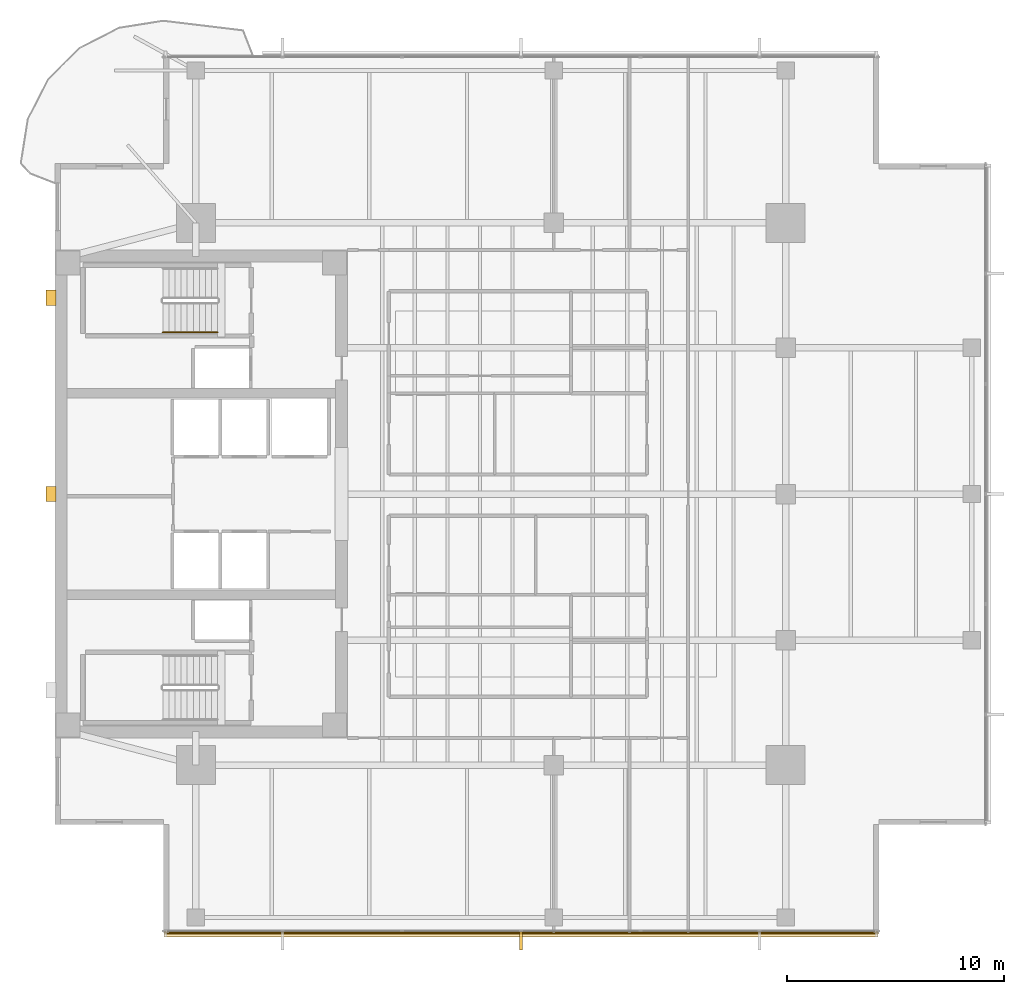
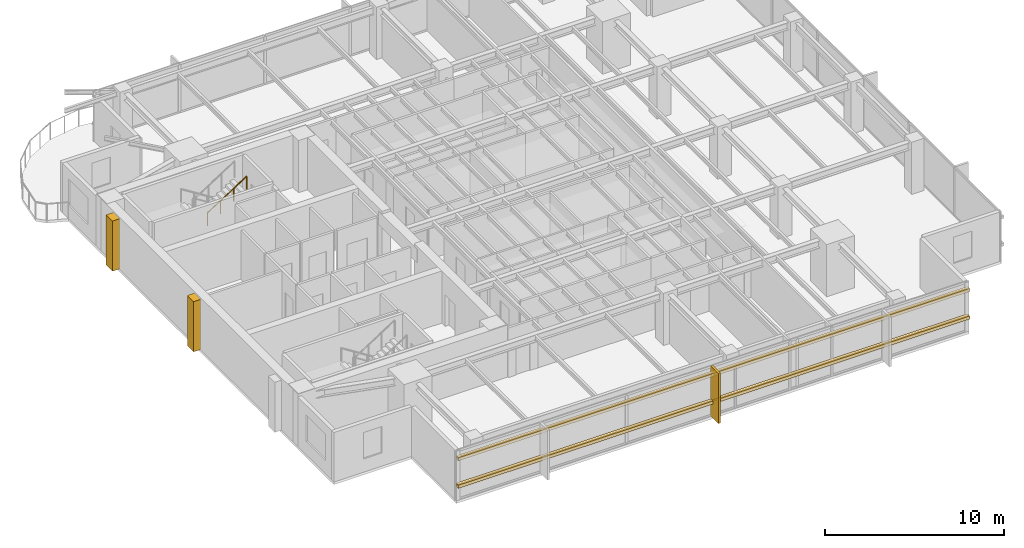
# One storey, part 12 of 14: 5 coverings, 2 shading devices, 1 railing.
"""IFC4 building model written with IfcOpenShell, lengths in metres."""

from ifc_helpers import new_model, si_unit, direction, frame, origin, origin_2d, place, context, subcontext, project, spatial, polyline, rectangle, circle, outline, extrude, material, layer, layer_set, material_profile, profile_set, type_object, element, save


model = new_model("IFC4")

# Units and contexts
model_context = context("Model", 3, precision=1e-05, world=origin(), true_north=direction((0.0, 1.0)))
body_context = subcontext(model_context, "Body", "Model", "MODEL_VIEW")
ifc_project = project(units=[si_unit("LENGTHUNIT", "METRE"), si_unit("AREAUNIT", "SQUARE_METRE"), si_unit("VOLUMEUNIT", "CUBIC_METRE"), si_unit("PLANEANGLEUNIT", "RADIAN"), si_unit("MASSUNIT", "GRAM", prefix="KILO")], contexts=[model_context])

# Site, building, storey
site_placement = place(None, origin())
site = spatial("IfcSite", under=ifc_project, at=site_placement, CompositionType="ELEMENT")
building_placement = place(site_placement, origin())
building = spatial("IfcBuilding", under=site, at=building_placement, Name="Kinhvarn Gate Tower", CompositionType="ELEMENT")
storey_placement = place(building_placement, frame((0.0, 0.0, 216.449951171875)))
storey = spatial("IfcBuildingStorey", under=building, at=storey_placement, Name="L57", CompositionType="ELEMENT", Elevation=216.449951171875)

# Coverings
ifc_material_1 = material(Name="Fired architectural terracotta", Category="masonry")
ifc_layer_1 = layer(ifc_material_1, 0.239990234375)
ifc_layer_set_1 = layer_set([ifc_layer_1], Name="Fired architectural terracotta")
covering_type_1 = type_object("IfcCoveringType", Name="COV-BAG-220", PredefinedType="CLADDING", material=ifc_layer_set_1)
covering_1_placement = place(storey_placement, frame((0.0, 0.0, 0.93994140625)))
element("IfcCovering", 1, at=covering_1_placement, inside=storey, type_object=covering_type_1, Name="Terracotta Horizontal Sunscreen Band TBG-220 (L57)", PredefinedType="CLADDING", context=body_context, shape_type="SweptSolid", body=[
    extrude(outline(polyline([(9.5400390625, 5.070068359375), (42.4599609375, 5.070068359375), (42.4599609375, 4.830078125), (9.5400390625, 4.830078125), (9.5400390625, 5.070068359375)])), origin(), (0.0, 0.0, 1.0), 0.22021484375),
])
covering_2_placement = place(storey_placement, frame((0.0, 0.0, 2.81005859375)))
element("IfcCovering", 2, at=covering_2_placement, inside=storey, type_object=covering_type_1, Name="Terracotta Horizontal Sunscreen Band TBG-220 (L57)", PredefinedType="CLADDING", context=body_context, shape_type="SweptSolid", body=[
    extrude(outline(polyline([(9.5400390625, 5.070068359375), (42.4599609375, 5.070068359375), (42.4599609375, 4.830078125), (9.5400390625, 4.830078125), (9.5400390625, 5.070068359375)])), origin(), (0.0, 0.0, 1.0), 0.219970703125),
])
ifc_layer_2 = layer(ifc_material_1, 0.139892578125)
ifc_layer_set_2 = layer_set([ifc_layer_2], Name="Fired architectural terracotta")
covering_type_2 = type_object("IfcCoveringType", Name="COV-FIN-850", PredefinedType="CLADDING", material=ifc_layer_set_2)
covering_3_placement = place(storey_placement, frame((0.0, 0.0, -0.02001953125)))
element("IfcCovering", 3, at=covering_3_placement, inside=storey, type_object=covering_type_2, Name="Vertical Terracotta Expressive Fin TFN-850 (L57)", PredefinedType="CLADDING", context=body_context, shape_type="SweptSolid", body=[
    extrude(outline(polyline([(25.929931640625, 5.080078125), (26.070068359375, 5.080078125), (26.070068359375, 4.22998046875), (25.929931640625, 4.22998046875), (25.929931640625, 5.080078125)])), origin(), (0.0, 0.0, 1.0), 3.41015625),
])
ifc_material_2 = material(Name="Precast white architectural concrete C40/50", Category="concrete")
ifc_layer_3 = layer(ifc_material_2, 0.47998046875)
ifc_layer_set_3 = layer_set([ifc_layer_3], Name="Precast white architectural concrete C40/50")
covering_type_3 = type_object("IfcCoveringType", Name="COV-RIB-450", PredefinedType="CLADDING", material=ifc_layer_set_3)
covering_4_placement = place(storey_placement, frame((0.0, 0.0, -0.02001953125)))
element("IfcCovering", 4, at=covering_4_placement, inside=storey, type_object=covering_type_3, Name="West Core Sculptural Concrete Relief Rib CRB-450 (L57)", PredefinedType="CLADDING", context=body_context, shape_type="SweptSolid", body=[
    extrude(outline(polyline([(4.080078125, 24.89990234375), (4.56005859375, 24.89990234375), (4.56005859375, 25.60009765625), (4.080078125, 25.60009765625), (4.080078125, 24.89990234375)])), origin(), (0.0, 0.0, 1.0), 3.41015625),
])
covering_5_placement = place(storey_placement, frame((0.0, 0.0, -0.02001953125)))
element("IfcCovering", 5, at=covering_5_placement, inside=storey, type_object=covering_type_3, Name="West Core Sculptural Concrete Relief Rib CRB-450 (L57)", PredefinedType="CLADDING", context=body_context, shape_type="SweptSolid", body=[
    extrude(outline(polyline([(4.080078125, 33.949951171875), (4.56005859375, 33.949951171875), (4.56005859375, 34.64990234375), (4.080078125, 34.64990234375), (4.080078125, 33.949951171875)])), origin(), (0.0, 0.0, 1.0), 3.41015625),
])

# Railing
ifc_material_3 = material(Name="Steel S355", Category="steel")
railing_type = type_object("IfcRailingType", Name="RL-ST-HND", PredefinedType="HANDRAIL", material=ifc_material_3)
railing_placement = place(storey_placement, frame((9.47998046875, 32.699951171875, 1.95263671875)))
element("IfcRailing", 6, at=railing_placement, inside=storey, type_object=railing_type, Name="L57 ST2 stair handrail 2", PredefinedType="HANDRAIL", context=body_context, shape_type="SweptSolid", body=[
    extrude(circle(Radius=0.02392578125, at=origin_2d()), frame((0.0, 0.0, 0.8759765625), z_axis=(0.84460694969, 0.0, 0.535386869969), x_axis=(0.0, 1.0, 0.0)), (0.0, 0.0, 1.0), 2.983642578125),
    extrude(circle(Radius=0.02099609375, at=origin_2d()), origin(), (0.0, 0.0, 1.0), 0.851806640625),
    extrude(circle(Radius=0.02099609375, at=origin_2d()), frame((0.840087890625, 0.0, 0.532470703125)), (0.0, 0.0, 1.0), 0.851806640625),
    extrude(circle(Radius=0.02099609375, at=origin_2d()), frame((1.679931640625, 0.0, 1.06494140625)), (0.0, 0.0, 1.0), 0.851806640625),
    extrude(circle(Radius=0.02099609375, at=origin_2d()), frame((2.52001953125, 0.0, 1.597412109375)), (0.0, 0.0, 1.0), 0.851806640625),
])

# Shading devices
ifc_material_profile = material_profile(ifc_material_1, rectangle(XDim=0.050048828125, YDim=0.1201171875, at=origin_2d()), Name="TC 50x120")
ifc_profile_set = profile_set([ifc_material_profile], Name="Fired architectural terracotta")
shading_device_type = type_object("IfcShadingDeviceType", Name="SHD-BAG-140", PredefinedType="USERDEFINED", material=ifc_profile_set)
for number, where, z_axis, x_axis, name in (
    (7, (9.5400390625, 5.0, 1.050048828125), (1.0, 0.0, 0.0), (0.0, 1.0, 0.0), "Upper Tower Terracotta Baguette Screen Rod 50x120 mm (L57)"),
    (8, (9.5400390625, 5.0, 2.920166015625), (1.0, 0.0, 0.0), (0.0, 1.0, 0.0), "Upper Tower Terracotta Baguette Screen Rod 50x120 mm (L57)"),
):
    element("IfcShadingDevice", number, at=place(storey_placement, frame(where, z_axis=z_axis, x_axis=x_axis)), inside=storey, type_object=shading_device_type, Name=name, ObjectType="BAGUETTE", PredefinedType="USERDEFINED", context=body_context, shape_type="SweptSolid", body=[
        extrude(rectangle(XDim=0.050048828125, YDim=0.1201171875, at=origin_2d()), origin(), (0.0, 0.0, 1.0), 32.919921875),
    ])

save(model, "model.ifc")
